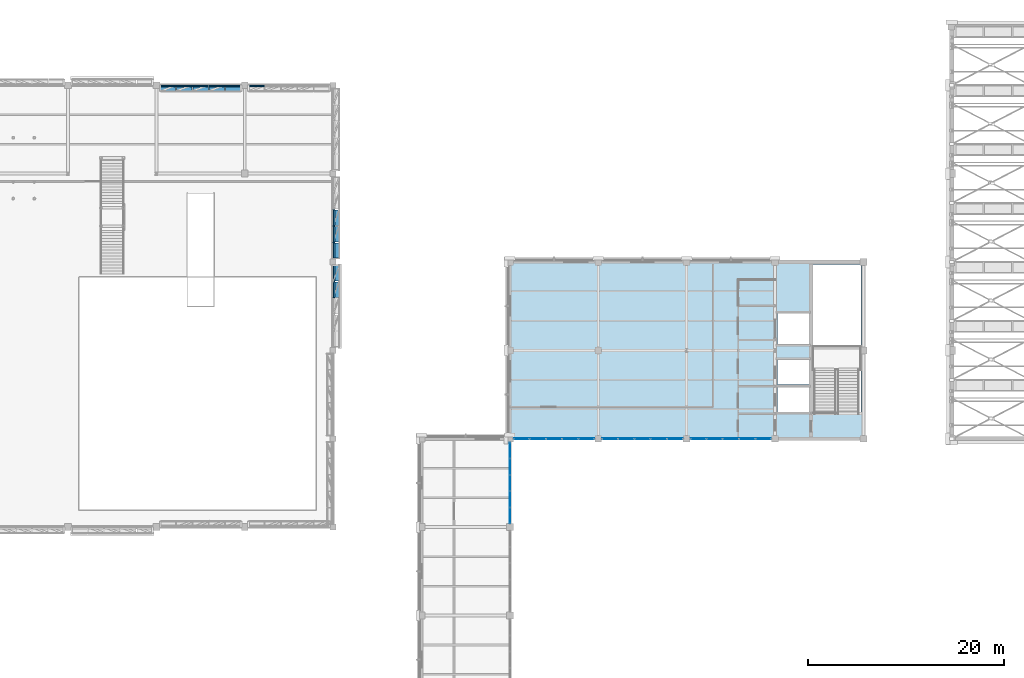
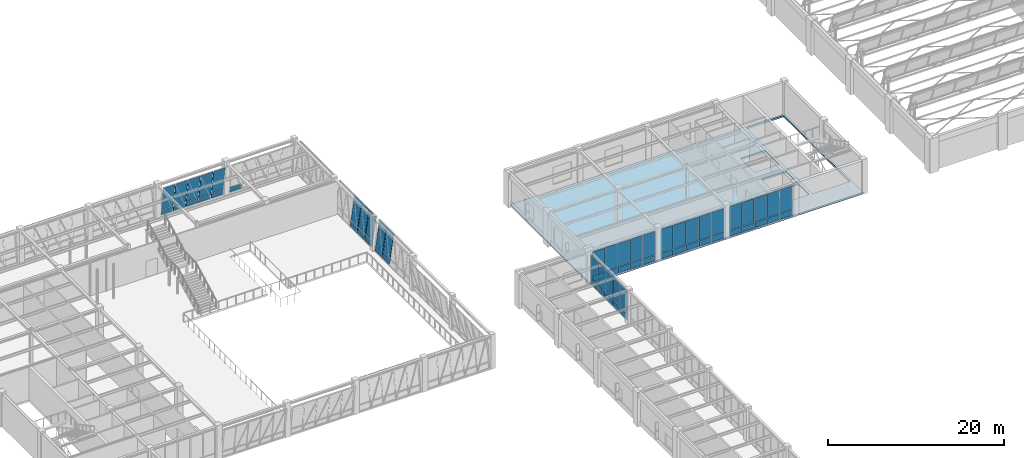
# One storey, part 72 of 98: 61 plates, 1 slab, 3 openings, 8 elements without a shape of their own.
"""IFC4 building model written with IfcOpenShell, lengths in metres."""

from ifc_helpers import new_model, si_unit, direction, frame, origin, origin_2d, place, context, subcontext, project, spatial, polyline, rectangle, outline, extrude, material, layer, layer_set, type_object, element, aggregate, save


model = new_model("IFC4")

# Units and contexts
model_context = context("Model", 3, precision=1e-05, world=origin(), true_north=direction((0.0, 1.0)))
body_context = subcontext(model_context, "Body", "Model", "MODEL_VIEW")
ifc_project = project(units=[si_unit("LENGTHUNIT", "METRE"), si_unit("AREAUNIT", "SQUARE_METRE"), si_unit("VOLUMEUNIT", "CUBIC_METRE"), si_unit("PLANEANGLEUNIT", "RADIAN"), si_unit("MASSUNIT", "GRAM", prefix="KILO")], contexts=[model_context])

# Site, building, storey
site_placement = place(None, origin())
site = spatial("IfcSite", under=ifc_project, at=site_placement, CompositionType="ELEMENT")
building_placement = place(site_placement, origin())
building = spatial("IfcBuilding", under=site, at=building_placement, Name="Lykobir Media Centre", CompositionType="ELEMENT")
storey_placement = place(building_placement, frame((0.0, 0.0, 10.199951171875)))
storey = spatial("IfcBuildingStorey", under=building, at=storey_placement, Name="L02", CompositionType="ELEMENT", Elevation=10.199951171875)

# Curtain wall, plates
ifc_material_1 = material(Name="Anodized Aluminium AW-6060", Category="aluminium")
curtain_wall_type_1 = type_object("IfcCurtainWallType", Name="CW-COURT-A", PredefinedType="NOTDEFINED", material=ifc_material_1)
curtain_wall_1_placement = place(storey_placement, origin())
curtain_wall_1 = element("IfcCurtainWall", 1, at=curtain_wall_1_placement, inside=storey, type_object=curtain_wall_type_1, Name="Curtain wall CW2-L02-0107", PredefinedType="NOTDEFINED")
ifc_material_2 = material(Name="Low-E Laminated Triple Glazing", Category="glass")
ifc_layer_1 = layer(ifc_material_2, 0.0380859375, Name="Low-E Laminated Triple Glazing")
ifc_layer_set_1 = layer_set([ifc_layer_1], Name="Low-E Laminated Triple Glazing")
plate_type_1 = type_object("IfcPlateType", Name="CWP-GLZ-38", PredefinedType="CURTAIN_PANEL", material=ifc_layer_set_1)
plate_1_placement = place(storey_placement, frame((99.0, 70.7998046875, 0.882568359375), z_axis=(0.0, 0.0, 1.0), x_axis=(0.0, -1.0, 0.0)))
plate_1 = element("IfcPlate", 2, at=plate_1_placement, type_object=plate_type_1, Name="CW2-L02-0107 panel 1.2", PredefinedType="CURTAIN_PANEL", context=body_context, shape_type="SweptSolid", body=[
    extrude(rectangle(XDim=1.560546875, YDim=0.0380859375, at=origin_2d()), origin(), (0.0, 0.0, 1.0), 3.267578125),
])
plate_2_placement = place(storey_placement, frame((99.0, 69.157958984375, 0.882568359375), z_axis=(0.0, 0.0, 1.0), x_axis=(0.0, -1.0, 0.0)))
plate_2 = element("IfcPlate", 3, at=plate_2_placement, type_object=plate_type_1, Name="CW2-L02-0107 panel 2.2", PredefinedType="CURTAIN_PANEL", context=body_context, shape_type="SweptSolid", body=[
    extrude(rectangle(XDim=1.593017578125, YDim=0.0380859375, at=origin_2d()), origin(), (0.0, 0.0, 1.0), 3.267578125),
])
plate_3_placement = place(storey_placement, frame((99.0, 67.5, 0.882568359375), z_axis=(0.0, 0.0, 1.0), x_axis=(0.0, -1.0, 0.0)))
plate_3 = element("IfcPlate", 4, at=plate_3_placement, type_object=plate_type_1, Name="CW2-L02-0107 panel 3.2", PredefinedType="CURTAIN_PANEL", context=body_context, shape_type="SweptSolid", body=[
    extrude(rectangle(XDim=1.593017578125, YDim=0.0380859375, at=origin_2d()), origin(), (0.0, 0.0, 1.0), 3.267578125),
])
plate_4_placement = place(storey_placement, frame((99.0, 65.842041015625, 0.882568359375), z_axis=(0.0, 0.0, 1.0), x_axis=(0.0, -1.0, 0.0)))
plate_4 = element("IfcPlate", 5, at=plate_4_placement, type_object=plate_type_1, Name="CW2-L02-0107 panel 4.2", PredefinedType="CURTAIN_PANEL", context=body_context, shape_type="SweptSolid", body=[
    extrude(rectangle(XDim=1.593017578125, YDim=0.0380859375, at=origin_2d()), origin(), (0.0, 0.0, 1.0), 3.267578125),
])
plate_5_placement = place(storey_placement, frame((99.0, 64.2001953125, 0.882568359375), z_axis=(0.0, 0.0, 1.0), x_axis=(0.0, -1.0, 0.0)))
plate_5 = element("IfcPlate", 6, at=plate_5_placement, type_object=plate_type_1, Name="CW2-L02-0107 panel 5.2", PredefinedType="CURTAIN_PANEL", context=body_context, shape_type="SweptSolid", body=[
    extrude(rectangle(XDim=1.560546875, YDim=0.0380859375, at=origin_2d()), origin(), (0.0, 0.0, 1.0), 3.267578125),
])

curtain_wall_2_placement = place(storey_placement, origin())
curtain_wall_2 = element("IfcCurtainWall", 7, at=curtain_wall_2_placement, inside=storey, type_object=curtain_wall_type_1, Name="Curtain wall CW2-L02-0108", PredefinedType="NOTDEFINED")
plate_6_placement = place(storey_placement, frame((106.7998046875, 72.0, 0.882568359375), z_axis=(0.0, 0.0, 1.0), x_axis=(-1.0, 0.0, 0.0)))
plate_6 = element("IfcPlate", 8, at=plate_6_placement, type_object=plate_type_1, Name="CW2-L02-0108 panel 1.2", PredefinedType="CURTAIN_PANEL", context=body_context, shape_type="SweptSolid", body=[
    extrude(rectangle(XDim=1.560546875, YDim=0.0380859375, at=origin_2d()), origin(), (0.0, 0.0, 1.0), 3.28759765625),
])
plate_7_placement = place(storey_placement, frame((105.157958984375, 72.0, 0.882568359375), z_axis=(0.0, 0.0, 1.0), x_axis=(-1.0, 0.0, 0.0)))
plate_7 = element("IfcPlate", 9, at=plate_7_placement, type_object=plate_type_1, Name="CW2-L02-0108 panel 2.2", PredefinedType="CURTAIN_PANEL", context=body_context, shape_type="SweptSolid", body=[
    extrude(rectangle(XDim=1.593017578125, YDim=0.0380859375, at=origin_2d()), origin(), (0.0, 0.0, 1.0), 3.28759765625),
])
plate_8_placement = place(storey_placement, frame((103.5, 72.0, 0.882568359375), z_axis=(0.0, 0.0, 1.0), x_axis=(-1.0, 0.0, 0.0)))
plate_8 = element("IfcPlate", 10, at=plate_8_placement, type_object=plate_type_1, Name="CW2-L02-0108 panel 3.2", PredefinedType="CURTAIN_PANEL", context=body_context, shape_type="SweptSolid", body=[
    extrude(rectangle(XDim=1.593017578125, YDim=0.0380859375, at=origin_2d()), origin(), (0.0, 0.0, 1.0), 3.28759765625),
])
plate_9_placement = place(storey_placement, frame((101.842041015625, 72.0, 0.882568359375), z_axis=(0.0, 0.0, 1.0), x_axis=(-1.0, 0.0, 0.0)))
plate_9 = element("IfcPlate", 11, at=plate_9_placement, type_object=plate_type_1, Name="CW2-L02-0108 panel 4.2", PredefinedType="CURTAIN_PANEL", context=body_context, shape_type="SweptSolid", body=[
    extrude(rectangle(XDim=1.593017578125, YDim=0.0380859375, at=origin_2d()), origin(), (0.0, 0.0, 1.0), 3.28759765625),
])
plate_10_placement = place(storey_placement, frame((100.2001953125, 72.0, 0.882568359375), z_axis=(0.0, 0.0, 1.0), x_axis=(-1.0, 0.0, 0.0)))
plate_10 = element("IfcPlate", 12, at=plate_10_placement, type_object=plate_type_1, Name="CW2-L02-0108 panel 5.2", PredefinedType="CURTAIN_PANEL", context=body_context, shape_type="SweptSolid", body=[
    extrude(rectangle(XDim=1.560546875, YDim=0.0380859375, at=origin_2d()), origin(), (0.0, 0.0, 1.0), 3.28759765625),
])

curtain_wall_3_placement = place(storey_placement, origin())
curtain_wall_3 = element("IfcCurtainWall", 13, at=curtain_wall_3_placement, inside=storey, type_object=curtain_wall_type_1, Name="Curtain wall CW2-L02-0109", PredefinedType="NOTDEFINED")
plate_11_placement = place(storey_placement, frame((115.7998046875, 72.0, 0.882568359375), z_axis=(0.0, 0.0, 1.0), x_axis=(-1.0, 0.0, 0.0)))
plate_11 = element("IfcPlate", 14, at=plate_11_placement, type_object=plate_type_1, Name="CW2-L02-0109 panel 1.2", PredefinedType="CURTAIN_PANEL", context=body_context, shape_type="SweptSolid", body=[
    extrude(rectangle(XDim=1.560546875, YDim=0.0380859375, at=origin_2d()), origin(), (0.0, 0.0, 1.0), 3.28759765625),
])
plate_12_placement = place(storey_placement, frame((114.157958984375, 72.0, 0.882568359375), z_axis=(0.0, 0.0, 1.0), x_axis=(-1.0, 0.0, 0.0)))
plate_12 = element("IfcPlate", 15, at=plate_12_placement, type_object=plate_type_1, Name="CW2-L02-0109 panel 2.2", PredefinedType="CURTAIN_PANEL", context=body_context, shape_type="SweptSolid", body=[
    extrude(rectangle(XDim=1.593017578125, YDim=0.0380859375, at=origin_2d()), origin(), (0.0, 0.0, 1.0), 3.28759765625),
])
plate_13_placement = place(storey_placement, frame((112.5, 72.0, 0.882568359375), z_axis=(0.0, 0.0, 1.0), x_axis=(-1.0, 0.0, 0.0)))
plate_13 = element("IfcPlate", 16, at=plate_13_placement, type_object=plate_type_1, Name="CW2-L02-0109 panel 3.2", PredefinedType="CURTAIN_PANEL", context=body_context, shape_type="SweptSolid", body=[
    extrude(rectangle(XDim=1.593017578125, YDim=0.0380859375, at=origin_2d()), origin(), (0.0, 0.0, 1.0), 3.28759765625),
])
plate_14_placement = place(storey_placement, frame((110.842041015625, 72.0, 0.882568359375), z_axis=(0.0, 0.0, 1.0), x_axis=(-1.0, 0.0, 0.0)))
plate_14 = element("IfcPlate", 17, at=plate_14_placement, type_object=plate_type_1, Name="CW2-L02-0109 panel 4.2", PredefinedType="CURTAIN_PANEL", context=body_context, shape_type="SweptSolid", body=[
    extrude(rectangle(XDim=1.593017578125, YDim=0.0380859375, at=origin_2d()), origin(), (0.0, 0.0, 1.0), 3.28759765625),
])
plate_15_placement = place(storey_placement, frame((109.2001953125, 72.0, 0.882568359375), z_axis=(0.0, 0.0, 1.0), x_axis=(-1.0, 0.0, 0.0)))
plate_15 = element("IfcPlate", 18, at=plate_15_placement, type_object=plate_type_1, Name="CW2-L02-0109 panel 5.2", PredefinedType="CURTAIN_PANEL", context=body_context, shape_type="SweptSolid", body=[
    extrude(rectangle(XDim=1.560546875, YDim=0.0380859375, at=origin_2d()), origin(), (0.0, 0.0, 1.0), 3.28759765625),
])

curtain_wall_4_placement = place(storey_placement, origin())
curtain_wall_4 = element("IfcCurtainWall", 19, at=curtain_wall_4_placement, inside=storey, type_object=curtain_wall_type_1, Name="Curtain wall CW2-L02-0110", PredefinedType="NOTDEFINED")
plate_16_placement = place(storey_placement, frame((124.7998046875, 72.0, 0.882568359375), z_axis=(0.0, 0.0, 1.0), x_axis=(-1.0, 0.0, 0.0)))
plate_16 = element("IfcPlate", 20, at=plate_16_placement, type_object=plate_type_1, Name="CW2-L02-0110 panel 1.2", PredefinedType="CURTAIN_PANEL", context=body_context, shape_type="SweptSolid", body=[
    extrude(rectangle(XDim=1.560546875, YDim=0.0380859375, at=origin_2d()), origin(), (0.0, 0.0, 1.0), 3.28759765625),
])
plate_17_placement = place(storey_placement, frame((123.157958984375, 72.0, 0.882568359375), z_axis=(0.0, 0.0, 1.0), x_axis=(-1.0, 0.0, 0.0)))
plate_17 = element("IfcPlate", 21, at=plate_17_placement, type_object=plate_type_1, Name="CW2-L02-0110 panel 2.2", PredefinedType="CURTAIN_PANEL", context=body_context, shape_type="SweptSolid", body=[
    extrude(rectangle(XDim=1.593017578125, YDim=0.0380859375, at=origin_2d()), origin(), (0.0, 0.0, 1.0), 3.28759765625),
])
plate_18_placement = place(storey_placement, frame((121.5, 72.0, 0.882568359375), z_axis=(0.0, 0.0, 1.0), x_axis=(-1.0, 0.0, 0.0)))
plate_18 = element("IfcPlate", 22, at=plate_18_placement, type_object=plate_type_1, Name="CW2-L02-0110 panel 3.2", PredefinedType="CURTAIN_PANEL", context=body_context, shape_type="SweptSolid", body=[
    extrude(rectangle(XDim=1.593017578125, YDim=0.0380859375, at=origin_2d()), origin(), (0.0, 0.0, 1.0), 3.28759765625),
])
plate_19_placement = place(storey_placement, frame((119.842041015625, 72.0, 0.882568359375), z_axis=(0.0, 0.0, 1.0), x_axis=(-1.0, 0.0, 0.0)))
plate_19 = element("IfcPlate", 23, at=plate_19_placement, type_object=plate_type_1, Name="CW2-L02-0110 panel 4.2", PredefinedType="CURTAIN_PANEL", context=body_context, shape_type="SweptSolid", body=[
    extrude(rectangle(XDim=1.593017578125, YDim=0.0380859375, at=origin_2d()), origin(), (0.0, 0.0, 1.0), 3.28759765625),
])
plate_20_placement = place(storey_placement, frame((118.2001953125, 72.0, 0.882568359375), z_axis=(0.0, 0.0, 1.0), x_axis=(-1.0, 0.0, 0.0)))
plate_20 = element("IfcPlate", 24, at=plate_20_placement, type_object=plate_type_1, Name="CW2-L02-0110 panel 5.2", PredefinedType="CURTAIN_PANEL", context=body_context, shape_type="SweptSolid", body=[
    extrude(rectangle(XDim=1.560546875, YDim=0.0380859375, at=origin_2d()), origin(), (0.0, 0.0, 1.0), 3.28759765625),
])

curtain_wall_type_2 = type_object("IfcCurtainWallType", Name="CW-V6-CR2", PredefinedType="NOTDEFINED", material=ifc_material_1)
curtain_wall_5_placement = place(storey_placement, origin())
curtain_wall_5 = element("IfcCurtainWall", 25, at=curtain_wall_5_placement, inside=storey, type_object=curtain_wall_type_2, Name="Curtain wall CW2-L02-0089", PredefinedType="NOTDEFINED")
ifc_layer_2 = layer(ifc_material_2, 0.0439453125, Name="Low-E Laminated Triple Glazing")
ifc_layer_set_2 = layer_set([ifc_layer_2], Name="Low-E Laminated Triple Glazing")
plate_type_2 = type_object("IfcPlateType", Name="CWP-GLZ-44", PredefinedType="CURTAIN_PANEL", material=ifc_layer_set_2)
plate_21_placement = place(storey_placement, frame((81.126708984375, 87.177978515625, 0.87841796875), z_axis=(0.142628933706, 0.0, 0.989776230908), x_axis=(0.0, 1.0, 0.0)))
plate_21 = element("IfcPlate", 26, at=plate_21_placement, type_object=plate_type_2, Name="CW2-L02-0089 panel 4.2", PredefinedType="CURTAIN_PANEL", context=body_context, shape_type="SweptSolid", body=[
    extrude(rectangle(XDim=1.60302734375, YDim=0.0439453125, at=origin_2d()), origin(), (0.0, 0.0, 1.0), 3.316162109375),
])
plate_22_placement = place(storey_placement, frame((81.126708984375, 88.837158203125, 0.87841796875), z_axis=(0.142628933706, 0.0, 0.989776230908), x_axis=(0.0, 1.0, 0.0)))
plate_22 = element("IfcPlate", 27, at=plate_22_placement, type_object=plate_type_2, Name="CW2-L02-0089 panel 5.2", PredefinedType="CURTAIN_PANEL", context=body_context, shape_type="SweptSolid", body=[
    extrude(rectangle(XDim=1.5654296875, YDim=0.0439453125, at=origin_2d()), origin(), (0.0, 0.0, 1.0), 3.316162109375),
])

curtain_wall_6_placement = place(storey_placement, origin())
curtain_wall_6 = element("IfcCurtainWall", 28, at=curtain_wall_6_placement, inside=storey, type_object=curtain_wall_type_2, Name="Curtain wall CW2-L02-0090", PredefinedType="NOTDEFINED")
plate_23_placement = place(storey_placement, frame((81.126708984375, 91.162841796875, 0.87841796875), z_axis=(0.142628933706, 0.0, 0.989776230908), x_axis=(0.0, 1.0, 0.0)))
plate_23 = element("IfcPlate", 29, at=plate_23_placement, type_object=plate_type_2, Name="CW2-L02-0090 panel 1.2", PredefinedType="CURTAIN_PANEL", context=body_context, shape_type="SweptSolid", body=[
    extrude(rectangle(XDim=1.5654296875, YDim=0.0439453125, at=origin_2d()), origin(), (0.0, 0.0, 1.0), 3.316162109375),
])
plate_24_placement = place(storey_placement, frame((81.126708984375, 92.822021484375, 0.87841796875), z_axis=(0.142628933706, 0.0, 0.989776230908), x_axis=(0.0, 1.0, 0.0)))
plate_24 = element("IfcPlate", 30, at=plate_24_placement, type_object=plate_type_2, Name="CW2-L02-0090 panel 2.2", PredefinedType="CURTAIN_PANEL", context=body_context, shape_type="SweptSolid", body=[
    extrude(rectangle(XDim=1.60302734375, YDim=0.0439453125, at=origin_2d()), origin(), (0.0, 0.0, 1.0), 3.316162109375),
])
plate_25_placement = place(storey_placement, frame((81.126708984375, 94.5, 0.87841796875), z_axis=(0.142628933706, 0.0, 0.989776230908), x_axis=(0.0, 1.0, 0.0)))
plate_25 = element("IfcPlate", 31, at=plate_25_placement, type_object=plate_type_2, Name="CW2-L02-0090 panel 3.2", PredefinedType="CURTAIN_PANEL", context=body_context, shape_type="SweptSolid", body=[
    extrude(rectangle(XDim=1.60302734375, YDim=0.0439453125, at=origin_2d()), origin(), (0.0, 0.0, 1.0), 3.316162109375),
])

curtain_wall_7_placement = place(storey_placement, origin())
curtain_wall_7 = element("IfcCurtainWall", 32, at=curtain_wall_7_placement, inside=storey, type_object=curtain_wall_type_2, Name="Curtain wall CW2-L02-0095", PredefinedType="NOTDEFINED")
plate_26_placement = place(storey_placement, frame((64.20263671875, 107.873291015625, 0.87841796875), z_axis=(0.0, -0.142628933706, 0.989776230908), x_axis=(1.0, 0.0, 0.0)))
plate_26 = element("IfcPlate", 33, at=plate_26_placement, type_object=plate_type_2, Name="CW2-L02-0095 panel 1.2", PredefinedType="CURTAIN_PANEL", context=body_context, shape_type="SweptSolid", body=[
    extrude(rectangle(XDim=1.54541015625, YDim=0.0439453125, at=origin_2d()), origin(), (0.0, 0.0, 1.0), 3.316162109375),
])
plate_27_placement = place(storey_placement, frame((65.842041015625, 107.873291015625, 0.87841796875), z_axis=(0.0, -0.142628933706, 0.989776230908), x_axis=(1.0, 0.0, 0.0)))
plate_27 = element("IfcPlate", 34, at=plate_27_placement, type_object=plate_type_2, Name="CW2-L02-0095 panel 2.2", PredefinedType="CURTAIN_PANEL", context=body_context, shape_type="SweptSolid", body=[
    extrude(rectangle(XDim=1.5830078125, YDim=0.0439453125, at=origin_2d()), origin(), (0.0, 0.0, 1.0), 3.316162109375),
])
plate_28_placement = place(storey_placement, frame((67.5, 107.873291015625, 0.87841796875), z_axis=(0.0, -0.142628933706, 0.989776230908), x_axis=(1.0, 0.0, 0.0)))
plate_28 = element("IfcPlate", 35, at=plate_28_placement, type_object=plate_type_2, Name="CW2-L02-0095 panel 3.2", PredefinedType="CURTAIN_PANEL", context=body_context, shape_type="SweptSolid", body=[
    extrude(rectangle(XDim=1.5830078125, YDim=0.0439453125, at=origin_2d()), origin(), (0.0, 0.0, 1.0), 3.316162109375),
])
plate_29_placement = place(storey_placement, frame((69.157958984375, 107.873291015625, 0.87841796875), z_axis=(0.0, -0.142628933706, 0.989776230908), x_axis=(1.0, 0.0, 0.0)))
plate_29 = element("IfcPlate", 36, at=plate_29_placement, type_object=plate_type_2, Name="CW2-L02-0095 panel 4.2", PredefinedType="CURTAIN_PANEL", context=body_context, shape_type="SweptSolid", body=[
    extrude(rectangle(XDim=1.5830078125, YDim=0.0439453125, at=origin_2d()), origin(), (0.0, 0.0, 1.0), 3.316162109375),
])
plate_30_placement = place(storey_placement, frame((70.797119140625, 107.873291015625, 0.87841796875), z_axis=(0.0, -0.142628933706, 0.989776230908), x_axis=(1.0, 0.0, 0.0)))
plate_30 = element("IfcPlate", 37, at=plate_30_placement, type_object=plate_type_2, Name="CW2-L02-0095 panel 5.2", PredefinedType="CURTAIN_PANEL", context=body_context, shape_type="SweptSolid", body=[
    extrude(rectangle(XDim=1.54541015625, YDim=0.0439453125, at=origin_2d()), origin(), (0.0, 0.0, 1.0), 3.316162109375),
])
ifc_material_3 = material(Name="Pre-Weathered Titanium-Zinc", Category="metal")
ifc_layer_3 = layer(ifc_material_3, 0.052001953125, Name="Pre-Weathered Titanium-Zinc")
ifc_layer_set_3 = layer_set([ifc_layer_3], Name="Pre-Weathered Titanium-Zinc")
plate_type_3 = type_object("IfcPlateType", Name="CWP-SPN-52", PredefinedType="CURTAIN_PANEL", material=ifc_layer_set_3)
plate_31_placement = place(storey_placement, frame((64.20263671875, 107.9892578125, 0.07421875), z_axis=(0.0, -0.142628933706, 0.989776230908), x_axis=(1.0, 0.0, 0.0)))
plate_31 = element("IfcPlate", 38, at=plate_31_placement, type_object=plate_type_3, Name="CW2-L02-0095 panel 1.1", PredefinedType="CURTAIN_PANEL", context=body_context, shape_type="SweptSolid", body=[
    extrude(rectangle(XDim=1.54541015625, YDim=0.052001953125, at=origin_2d()), origin(), (0.0, 0.0, 1.0), 0.737548828125),
])
plate_32_placement = place(storey_placement, frame((65.842041015625, 107.9892578125, 0.07421875), z_axis=(0.0, -0.142628933706, 0.989776230908), x_axis=(1.0, 0.0, 0.0)))
plate_32 = element("IfcPlate", 39, at=plate_32_placement, type_object=plate_type_3, Name="CW2-L02-0095 panel 2.1", PredefinedType="CURTAIN_PANEL", context=body_context, shape_type="SweptSolid", body=[
    extrude(rectangle(XDim=1.5830078125, YDim=0.052001953125, at=origin_2d()), origin(), (0.0, 0.0, 1.0), 0.737548828125),
])
plate_33_placement = place(storey_placement, frame((67.5, 107.9892578125, 0.07421875), z_axis=(0.0, -0.142628933706, 0.989776230908), x_axis=(1.0, 0.0, 0.0)))
plate_33 = element("IfcPlate", 40, at=plate_33_placement, type_object=plate_type_3, Name="CW2-L02-0095 panel 3.1", PredefinedType="CURTAIN_PANEL", context=body_context, shape_type="SweptSolid", body=[
    extrude(rectangle(XDim=1.5830078125, YDim=0.052001953125, at=origin_2d()), origin(), (0.0, 0.0, 1.0), 0.737548828125),
])
plate_34_placement = place(storey_placement, frame((69.157958984375, 107.9892578125, 0.07421875), z_axis=(0.0, -0.142628933706, 0.989776230908), x_axis=(1.0, 0.0, 0.0)))
plate_34 = element("IfcPlate", 41, at=plate_34_placement, type_object=plate_type_3, Name="CW2-L02-0095 panel 4.1", PredefinedType="CURTAIN_PANEL", context=body_context, shape_type="SweptSolid", body=[
    extrude(rectangle(XDim=1.5830078125, YDim=0.052001953125, at=origin_2d()), origin(), (0.0, 0.0, 1.0), 0.737548828125),
])
plate_35_placement = place(storey_placement, frame((70.797119140625, 107.9892578125, 0.07421875), z_axis=(0.0, -0.142628933706, 0.989776230908), x_axis=(1.0, 0.0, 0.0)))
plate_35 = element("IfcPlate", 42, at=plate_35_placement, type_object=plate_type_3, Name="CW2-L02-0095 panel 5.1", PredefinedType="CURTAIN_PANEL", context=body_context, shape_type="SweptSolid", body=[
    extrude(rectangle(XDim=1.54541015625, YDim=0.052001953125, at=origin_2d()), origin(), (0.0, 0.0, 1.0), 0.737548828125),
])
aggregate(curtain_wall_7, [plate_31, plate_26, plate_32, plate_27, plate_33, plate_28, plate_34, plate_29, plate_35, plate_30])

# Curtain wall, plate
curtain_wall_8_placement = place(storey_placement, origin())
curtain_wall_8 = element("IfcCurtainWall", 43, at=curtain_wall_8_placement, inside=storey, type_object=curtain_wall_type_2, Name="Curtain wall CW2-L02-0096", PredefinedType="NOTDEFINED")
plate_36_placement = place(storey_placement, frame((73.207763671875, 107.9892578125, 0.07421875), z_axis=(0.0, -0.142628933706, 0.989776230908), x_axis=(1.0, 0.0, 0.0)))
plate_36 = element("IfcPlate", 44, at=plate_36_placement, type_object=plate_type_3, Name="CW2-L02-0096 panel 1.1", PredefinedType="CURTAIN_PANEL", context=body_context, shape_type="SweptSolid", body=[
    extrude(rectangle(XDim=1.555419921875, YDim=0.052001953125, at=origin_2d()), origin(), (0.0, 0.0, 1.0), 0.737548828125),
])
aggregate(curtain_wall_8, [plate_36])

# Plate
ifc_material_4 = material(Name="Glazed Turquoise Terracotta", Category="masonry")
ifc_layer_4 = layer(ifc_material_4, 0.06005859375, Name="Glazed Turquoise Terracotta")
ifc_layer_set_4 = layer_set([ifc_layer_4], Name="Glazed Turquoise Terracotta")
plate_type_4 = type_object("IfcPlateType", Name="CWP-SPN-60", PredefinedType="CURTAIN_PANEL", material=ifc_layer_set_4)
plate_37_placement = place(storey_placement, frame((81.0107421875, 87.177978515625, 0.07421875), z_axis=(0.142628933706, 0.0, 0.989776230908), x_axis=(0.0, 1.0, 0.0)))
plate_37 = element("IfcPlate", 45, at=plate_37_placement, type_object=plate_type_4, Name="CW2-L02-0089 panel 4.1", PredefinedType="CURTAIN_PANEL", context=body_context, shape_type="SweptSolid", body=[
    extrude(rectangle(XDim=1.60302734375, YDim=0.06005859375, at=origin_2d()), origin(), (0.0, 0.0, 1.0), 0.737548828125),
])

plate_38_placement = place(storey_placement, frame((81.0107421875, 88.837158203125, 0.07421875), z_axis=(0.142628933706, 0.0, 0.989776230908), x_axis=(0.0, 1.0, 0.0)))
plate_38 = element("IfcPlate", 46, at=plate_38_placement, type_object=plate_type_4, Name="CW2-L02-0089 panel 5.1", PredefinedType="CURTAIN_PANEL", context=body_context, shape_type="SweptSolid", body=[
    extrude(rectangle(XDim=1.5654296875, YDim=0.06005859375, at=origin_2d()), origin(), (0.0, 0.0, 1.0), 0.737548828125),
])

aggregate(curtain_wall_5, [plate_37, plate_21, plate_38, plate_22])

plate_39_placement = place(storey_placement, frame((81.0107421875, 91.162841796875, 0.07421875), z_axis=(0.142628933706, 0.0, 0.989776230908), x_axis=(0.0, 1.0, 0.0)))
plate_39 = element("IfcPlate", 47, at=plate_39_placement, type_object=plate_type_4, Name="CW2-L02-0090 panel 1.1", PredefinedType="CURTAIN_PANEL", context=body_context, shape_type="SweptSolid", body=[
    extrude(rectangle(XDim=1.5654296875, YDim=0.06005859375, at=origin_2d()), origin(), (0.0, 0.0, 1.0), 0.737548828125),
])

plate_40_placement = place(storey_placement, frame((81.0107421875, 92.822021484375, 0.07421875), z_axis=(0.142628933706, 0.0, 0.989776230908), x_axis=(0.0, 1.0, 0.0)))
plate_40 = element("IfcPlate", 48, at=plate_40_placement, type_object=plate_type_4, Name="CW2-L02-0090 panel 2.1", PredefinedType="CURTAIN_PANEL", context=body_context, shape_type="SweptSolid", body=[
    extrude(rectangle(XDim=1.60302734375, YDim=0.06005859375, at=origin_2d()), origin(), (0.0, 0.0, 1.0), 0.737548828125),
])

plate_41_placement = place(storey_placement, frame((81.0107421875, 94.5, 0.07421875), z_axis=(0.142628933706, 0.0, 0.989776230908), x_axis=(0.0, 1.0, 0.0)))
plate_41 = element("IfcPlate", 49, at=plate_41_placement, type_object=plate_type_4, Name="CW2-L02-0090 panel 3.1", PredefinedType="CURTAIN_PANEL", context=body_context, shape_type="SweptSolid", body=[
    extrude(rectangle(XDim=1.60302734375, YDim=0.06005859375, at=origin_2d()), origin(), (0.0, 0.0, 1.0), 0.737548828125),
])

aggregate(curtain_wall_6, [plate_39, plate_23, plate_40, plate_24, plate_41, plate_25])

plate_42_placement = place(storey_placement, frame((99.0, 70.7998046875, 0.06494140625), z_axis=(0.0, 0.0, 1.0), x_axis=(0.0, -1.0, 0.0)))
plate_42 = element("IfcPlate", 50, at=plate_42_placement, type_object=plate_type_4, Name="CW2-L02-0107 panel 1.1", PredefinedType="CURTAIN_PANEL", context=body_context, shape_type="SweptSolid", body=[
    extrude(rectangle(XDim=1.560546875, YDim=0.06005859375, at=origin_2d()), origin(), (0.0, 0.0, 1.0), 0.75244140625),
])

plate_43_placement = place(storey_placement, frame((99.0, 69.157958984375, 0.06494140625), z_axis=(0.0, 0.0, 1.0), x_axis=(0.0, -1.0, 0.0)))
plate_43 = element("IfcPlate", 51, at=plate_43_placement, type_object=plate_type_4, Name="CW2-L02-0107 panel 2.1", PredefinedType="CURTAIN_PANEL", context=body_context, shape_type="SweptSolid", body=[
    extrude(rectangle(XDim=1.593017578125, YDim=0.06005859375, at=origin_2d()), origin(), (0.0, 0.0, 1.0), 0.75244140625),
])

plate_44_placement = place(storey_placement, frame((99.0, 67.5, 0.06494140625), z_axis=(0.0, 0.0, 1.0), x_axis=(0.0, -1.0, 0.0)))
plate_44 = element("IfcPlate", 52, at=plate_44_placement, type_object=plate_type_4, Name="CW2-L02-0107 panel 3.1", PredefinedType="CURTAIN_PANEL", context=body_context, shape_type="SweptSolid", body=[
    extrude(rectangle(XDim=1.593017578125, YDim=0.06005859375, at=origin_2d()), origin(), (0.0, 0.0, 1.0), 0.75244140625),
])

plate_45_placement = place(storey_placement, frame((99.0, 65.842041015625, 0.06494140625), z_axis=(0.0, 0.0, 1.0), x_axis=(0.0, -1.0, 0.0)))
plate_45 = element("IfcPlate", 53, at=plate_45_placement, type_object=plate_type_4, Name="CW2-L02-0107 panel 4.1", PredefinedType="CURTAIN_PANEL", context=body_context, shape_type="SweptSolid", body=[
    extrude(rectangle(XDim=1.593017578125, YDim=0.06005859375, at=origin_2d()), origin(), (0.0, 0.0, 1.0), 0.75244140625),
])

plate_46_placement = place(storey_placement, frame((99.0, 64.2001953125, 0.06494140625), z_axis=(0.0, 0.0, 1.0), x_axis=(0.0, -1.0, 0.0)))
plate_46 = element("IfcPlate", 54, at=plate_46_placement, type_object=plate_type_4, Name="CW2-L02-0107 panel 5.1", PredefinedType="CURTAIN_PANEL", context=body_context, shape_type="SweptSolid", body=[
    extrude(rectangle(XDim=1.560546875, YDim=0.06005859375, at=origin_2d()), origin(), (0.0, 0.0, 1.0), 0.75244140625),
])

aggregate(curtain_wall_1, [plate_42, plate_1, plate_43, plate_2, plate_44, plate_3, plate_45, plate_4, plate_46, plate_5])

plate_47_placement = place(storey_placement, frame((106.7998046875, 72.0, 0.06494140625), z_axis=(0.0, 0.0, 1.0), x_axis=(-1.0, 0.0, 0.0)))
plate_47 = element("IfcPlate", 55, at=plate_47_placement, type_object=plate_type_4, Name="CW2-L02-0108 panel 1.1", PredefinedType="CURTAIN_PANEL", context=body_context, shape_type="SweptSolid", body=[
    extrude(rectangle(XDim=1.560546875, YDim=0.06005859375, at=origin_2d()), origin(), (0.0, 0.0, 1.0), 0.75244140625),
])

plate_48_placement = place(storey_placement, frame((105.157958984375, 72.0, 0.06494140625), z_axis=(0.0, 0.0, 1.0), x_axis=(-1.0, 0.0, 0.0)))
plate_48 = element("IfcPlate", 56, at=plate_48_placement, type_object=plate_type_4, Name="CW2-L02-0108 panel 2.1", PredefinedType="CURTAIN_PANEL", context=body_context, shape_type="SweptSolid", body=[
    extrude(rectangle(XDim=1.593017578125, YDim=0.06005859375, at=origin_2d()), origin(), (0.0, 0.0, 1.0), 0.75244140625),
])

plate_49_placement = place(storey_placement, frame((103.5, 72.0, 0.06494140625), z_axis=(0.0, 0.0, 1.0), x_axis=(-1.0, 0.0, 0.0)))
plate_49 = element("IfcPlate", 57, at=plate_49_placement, type_object=plate_type_4, Name="CW2-L02-0108 panel 3.1", PredefinedType="CURTAIN_PANEL", context=body_context, shape_type="SweptSolid", body=[
    extrude(rectangle(XDim=1.593017578125, YDim=0.06005859375, at=origin_2d()), origin(), (0.0, 0.0, 1.0), 0.75244140625),
])

plate_50_placement = place(storey_placement, frame((101.842041015625, 72.0, 0.06494140625), z_axis=(0.0, 0.0, 1.0), x_axis=(-1.0, 0.0, 0.0)))
plate_50 = element("IfcPlate", 58, at=plate_50_placement, type_object=plate_type_4, Name="CW2-L02-0108 panel 4.1", PredefinedType="CURTAIN_PANEL", context=body_context, shape_type="SweptSolid", body=[
    extrude(rectangle(XDim=1.593017578125, YDim=0.06005859375, at=origin_2d()), origin(), (0.0, 0.0, 1.0), 0.75244140625),
])

plate_51_placement = place(storey_placement, frame((100.2001953125, 72.0, 0.06494140625), z_axis=(0.0, 0.0, 1.0), x_axis=(-1.0, 0.0, 0.0)))
plate_51 = element("IfcPlate", 59, at=plate_51_placement, type_object=plate_type_4, Name="CW2-L02-0108 panel 5.1", PredefinedType="CURTAIN_PANEL", context=body_context, shape_type="SweptSolid", body=[
    extrude(rectangle(XDim=1.560546875, YDim=0.06005859375, at=origin_2d()), origin(), (0.0, 0.0, 1.0), 0.75244140625),
])

aggregate(curtain_wall_2, [plate_47, plate_6, plate_48, plate_7, plate_49, plate_8, plate_50, plate_9, plate_51, plate_10])

plate_52_placement = place(storey_placement, frame((115.7998046875, 72.0, 0.06494140625), z_axis=(0.0, 0.0, 1.0), x_axis=(-1.0, 0.0, 0.0)))
plate_52 = element("IfcPlate", 60, at=plate_52_placement, type_object=plate_type_4, Name="CW2-L02-0109 panel 1.1", PredefinedType="CURTAIN_PANEL", context=body_context, shape_type="SweptSolid", body=[
    extrude(rectangle(XDim=1.560546875, YDim=0.06005859375, at=origin_2d()), origin(), (0.0, 0.0, 1.0), 0.75244140625),
])

plate_53_placement = place(storey_placement, frame((114.157958984375, 72.0, 0.06494140625), z_axis=(0.0, 0.0, 1.0), x_axis=(-1.0, 0.0, 0.0)))
plate_53 = element("IfcPlate", 61, at=plate_53_placement, type_object=plate_type_4, Name="CW2-L02-0109 panel 2.1", PredefinedType="CURTAIN_PANEL", context=body_context, shape_type="SweptSolid", body=[
    extrude(rectangle(XDim=1.593017578125, YDim=0.06005859375, at=origin_2d()), origin(), (0.0, 0.0, 1.0), 0.75244140625),
])

plate_54_placement = place(storey_placement, frame((112.5, 72.0, 0.06494140625), z_axis=(0.0, 0.0, 1.0), x_axis=(-1.0, 0.0, 0.0)))
plate_54 = element("IfcPlate", 62, at=plate_54_placement, type_object=plate_type_4, Name="CW2-L02-0109 panel 3.1", PredefinedType="CURTAIN_PANEL", context=body_context, shape_type="SweptSolid", body=[
    extrude(rectangle(XDim=1.593017578125, YDim=0.06005859375, at=origin_2d()), origin(), (0.0, 0.0, 1.0), 0.75244140625),
])

plate_55_placement = place(storey_placement, frame((110.842041015625, 72.0, 0.06494140625), z_axis=(0.0, 0.0, 1.0), x_axis=(-1.0, 0.0, 0.0)))
plate_55 = element("IfcPlate", 63, at=plate_55_placement, type_object=plate_type_4, Name="CW2-L02-0109 panel 4.1", PredefinedType="CURTAIN_PANEL", context=body_context, shape_type="SweptSolid", body=[
    extrude(rectangle(XDim=1.593017578125, YDim=0.06005859375, at=origin_2d()), origin(), (0.0, 0.0, 1.0), 0.75244140625),
])

plate_56_placement = place(storey_placement, frame((109.2001953125, 72.0, 0.06494140625), z_axis=(0.0, 0.0, 1.0), x_axis=(-1.0, 0.0, 0.0)))
plate_56 = element("IfcPlate", 64, at=plate_56_placement, type_object=plate_type_4, Name="CW2-L02-0109 panel 5.1", PredefinedType="CURTAIN_PANEL", context=body_context, shape_type="SweptSolid", body=[
    extrude(rectangle(XDim=1.560546875, YDim=0.06005859375, at=origin_2d()), origin(), (0.0, 0.0, 1.0), 0.75244140625),
])

aggregate(curtain_wall_3, [plate_52, plate_11, plate_53, plate_12, plate_54, plate_13, plate_55, plate_14, plate_56, plate_15])

plate_57_placement = place(storey_placement, frame((124.7998046875, 72.0, 0.06494140625), z_axis=(0.0, 0.0, 1.0), x_axis=(-1.0, 0.0, 0.0)))
plate_57 = element("IfcPlate", 65, at=plate_57_placement, type_object=plate_type_4, Name="CW2-L02-0110 panel 1.1", PredefinedType="CURTAIN_PANEL", context=body_context, shape_type="SweptSolid", body=[
    extrude(rectangle(XDim=1.560546875, YDim=0.06005859375, at=origin_2d()), origin(), (0.0, 0.0, 1.0), 0.75244140625),
])

plate_58_placement = place(storey_placement, frame((123.157958984375, 72.0, 0.06494140625), z_axis=(0.0, 0.0, 1.0), x_axis=(-1.0, 0.0, 0.0)))
plate_58 = element("IfcPlate", 66, at=plate_58_placement, type_object=plate_type_4, Name="CW2-L02-0110 panel 2.1", PredefinedType="CURTAIN_PANEL", context=body_context, shape_type="SweptSolid", body=[
    extrude(rectangle(XDim=1.593017578125, YDim=0.06005859375, at=origin_2d()), origin(), (0.0, 0.0, 1.0), 0.75244140625),
])

plate_59_placement = place(storey_placement, frame((121.5, 72.0, 0.06494140625), z_axis=(0.0, 0.0, 1.0), x_axis=(-1.0, 0.0, 0.0)))
plate_59 = element("IfcPlate", 67, at=plate_59_placement, type_object=plate_type_4, Name="CW2-L02-0110 panel 3.1", PredefinedType="CURTAIN_PANEL", context=body_context, shape_type="SweptSolid", body=[
    extrude(rectangle(XDim=1.593017578125, YDim=0.06005859375, at=origin_2d()), origin(), (0.0, 0.0, 1.0), 0.75244140625),
])

plate_60_placement = place(storey_placement, frame((119.842041015625, 72.0, 0.06494140625), z_axis=(0.0, 0.0, 1.0), x_axis=(-1.0, 0.0, 0.0)))
plate_60 = element("IfcPlate", 68, at=plate_60_placement, type_object=plate_type_4, Name="CW2-L02-0110 panel 4.1", PredefinedType="CURTAIN_PANEL", context=body_context, shape_type="SweptSolid", body=[
    extrude(rectangle(XDim=1.593017578125, YDim=0.06005859375, at=origin_2d()), origin(), (0.0, 0.0, 1.0), 0.75244140625),
])

plate_61_placement = place(storey_placement, frame((118.2001953125, 72.0, 0.06494140625), z_axis=(0.0, 0.0, 1.0), x_axis=(-1.0, 0.0, 0.0)))
plate_61 = element("IfcPlate", 69, at=plate_61_placement, type_object=plate_type_4, Name="CW2-L02-0110 panel 5.1", PredefinedType="CURTAIN_PANEL", context=body_context, shape_type="SweptSolid", body=[
    extrude(rectangle(XDim=1.560546875, YDim=0.06005859375, at=origin_2d()), origin(), (0.0, 0.0, 1.0), 0.75244140625),
])

aggregate(curtain_wall_4, [plate_57, plate_16, plate_58, plate_17, plate_59, plate_18, plate_60, plate_19, plate_61, plate_20])

# Slab, openings
ifc_material_5 = material(Name="Concrete C30/37", Category="concrete")
ifc_layer_5 = layer(ifc_material_5, 0.239990234375, Name="Concrete C30/37")
ifc_layer_set_5 = layer_set([ifc_layer_5], Name="Concrete C30/37")
slab_type = type_object("IfcSlabType", Name="FS-240", PredefinedType="FLOOR", material=ifc_layer_set_5)
slab_placement = place(storey_placement, frame((0.0, 0.0, -0.239990234375)))
slab = element("IfcSlab", 70, at=slab_placement, inside=storey, type_object=slab_type, Name="L02 structural slab 3", PredefinedType="FLOOR", context=body_context, shape_type="SweptSolid", body=[
    extrude(outline(polyline([(135.0, 90.0), (99.0, 90.0), (99.0, 72.0), (135.0, 72.0), (135.0, 90.0)]), holes=[polyline([(134.75, 74.64990234375), (129.85009765625, 74.64990234375), (129.85009765625, 89.75), (134.75, 89.75), (134.75, 74.64990234375)])]), origin(), (0.0, 0.0, 1.0), 0.239990234375),
])
opening_1_placement = place(slab_placement, frame((127.85009765625, 75.949951171875, 0.0)))
element("IfcOpeningElement", 71, at=opening_1_placement, cuts=slab, Name="Shaft opening C4-pass_shaft-L02", PredefinedType="OPENING", context=body_context, shape_type="SweptSolid", body=[
    extrude(rectangle(XDim=3.199951171875, YDim=2.5, at=origin_2d()), origin(), (0.0, 0.0, 1.0), 0.239990234375),
])
opening_2_placement = place(slab_placement, frame((127.85009765625, 78.75, 0.0)))
element("IfcOpeningElement", 72, at=opening_2_placement, cuts=slab, Name="Shaft opening C4-ff_shaft-L02", PredefinedType="OPENING", context=body_context, shape_type="SweptSolid", body=[
    extrude(rectangle(XDim=3.199951171875, YDim=2.5, at=origin_2d()), origin(), (0.0, 0.0, 1.0), 0.239990234375),
])
opening_3_placement = place(slab_placement, frame((127.85009765625, 83.199951171875, 0.0)))
element("IfcOpeningElement", 73, at=opening_3_placement, cuts=slab, Name="Shaft opening C4-goods_shaft-L02", PredefinedType="OPENING", context=body_context, shape_type="SweptSolid", body=[
    extrude(rectangle(XDim=3.199951171875, YDim=3.199951171875, at=origin_2d()), origin(), (0.0, 0.0, 1.0), 0.239990234375),
])

save(model, "model.ifc")
